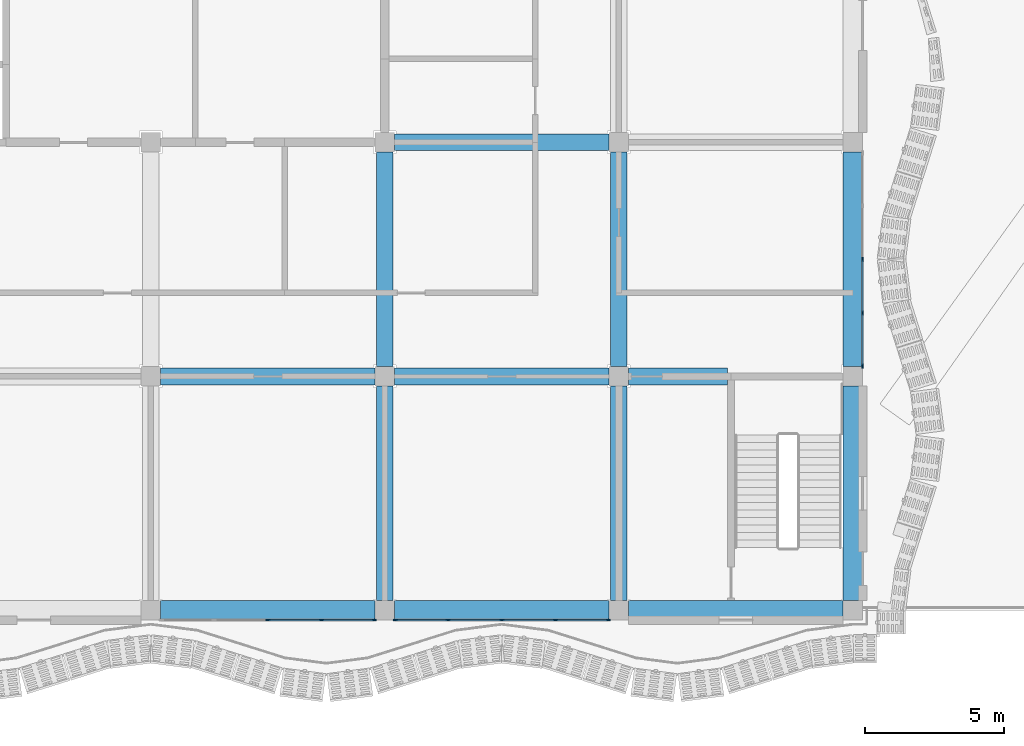
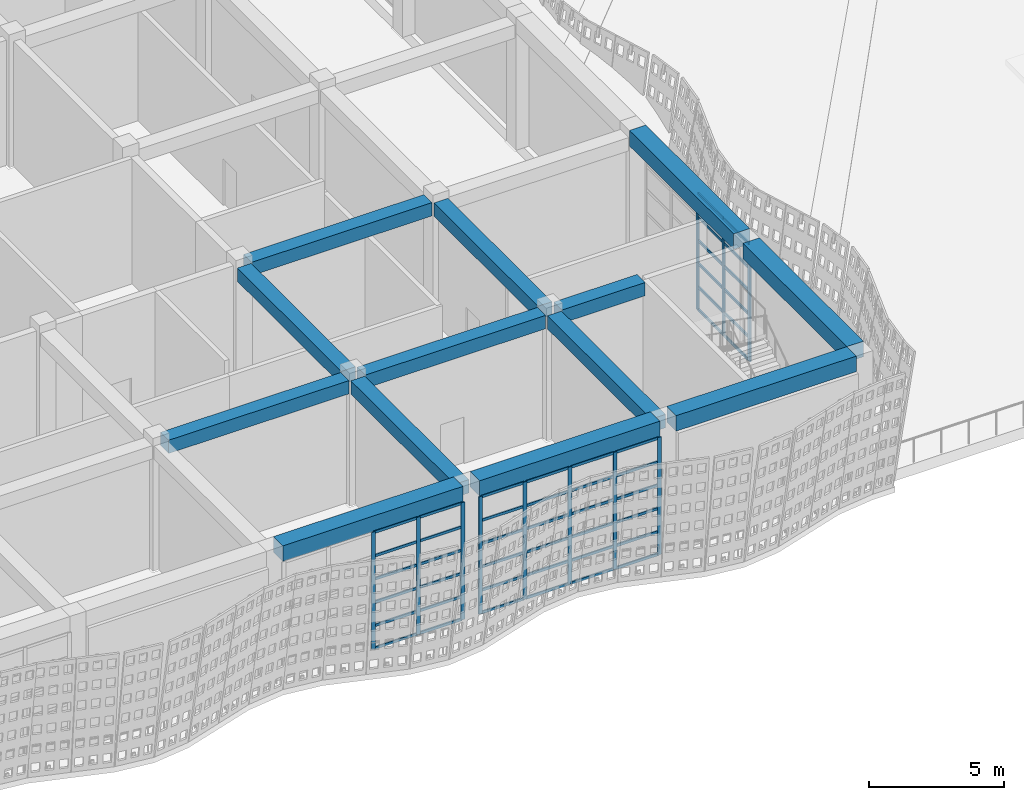
# One storey, part 23 of 210: 59 members, 13 beams, 3 elements without a shape of their own.
"""IFC4 building model written with IfcOpenShell, lengths in metres."""

from ifc_helpers import new_model, si_unit, direction, frame, origin, origin_2d, place, context, subcontext, project, spatial, rectangle, extrude, material, material_profile, profile_set, type_object, element, aggregate, save


model = new_model("IFC4")

# Units and contexts
model_context = context("Model", 3, precision=1e-05, world=origin(), true_north=direction((0.0, 1.0)))
body_context = subcontext(model_context, "Body", "Model", "MODEL_VIEW")
ifc_project = project(units=[si_unit("LENGTHUNIT", "METRE"), si_unit("AREAUNIT", "SQUARE_METRE"), si_unit("VOLUMEUNIT", "CUBIC_METRE"), si_unit("PLANEANGLEUNIT", "RADIAN"), si_unit("MASSUNIT", "GRAM", prefix="KILO")], contexts=[model_context])

# Site, building, storey
site_placement = place(None, origin())
site = spatial("IfcSite", under=ifc_project, at=site_placement, CompositionType="ELEMENT")
building_placement = place(site_placement, origin())
building = spatial("IfcBuilding", under=site, at=building_placement, Name="Rain Tree Exposition and Congress Centre", CompositionType="ELEMENT")
storey_placement = place(building_placement, origin())
storey = spatial("IfcBuildingStorey", under=building, at=storey_placement, Name="L00", CompositionType="ELEMENT", Elevation=0.0)

# Beams
ifc_material_1 = material(Name="Precast concrete C50/60", Category="concrete")
ifc_material_profile_1 = material_profile(ifc_material_1, rectangle(XDim=0.60009765625, YDim=0.60009765625, at=origin_2d()), Name="RC 600x600")
ifc_profile_set_1 = profile_set([ifc_material_profile_1], Name="Precast concrete C50/60")
beam_type_1 = type_object("IfcBeamType", Name="Precast beam 600x600", PredefinedType="BEAM", material=ifc_profile_set_1)
for number, where, z_axis, x_axis, name in (
    (1, (25.550048828125, 8.39990234375, 5.35009765625), (1.0, 0.0, 0.0), (0.0, 1.0, 0.0), "wing/beam/L00/L01/019"),
    (2, (33.949951171875, 8.39990234375, 5.35009765625), (1.0, 0.0, 0.0), (0.0, 1.0, 0.0), "wing/beam/L00/L01/021"),
):
    element("IfcBeam", number, at=place(storey_placement, frame(where, z_axis=z_axis, x_axis=x_axis)), inside=storey, type_object=beam_type_1, Name=name, PredefinedType="BEAM", context=body_context, shape_type="SweptSolid", body=[
        extrude(rectangle(XDim=0.60009765625, YDim=0.60009765625, at=origin_2d()), origin(), (0.0, 0.0, 1.0), 7.699951171875),
    ])
beam_placement = place(storey_placement, frame((42.35009765625, 8.39990234375, 5.35009765625), z_axis=(1.0, 0.0, 0.0), x_axis=(0.0, 1.0, 0.0)))
element("IfcBeam", 3, at=beam_placement, inside=storey, type_object=beam_type_1, Name="wing/beam/L00/L01/023", PredefinedType="BEAM", context=body_context, shape_type="SweptSolid", body=[
    extrude(rectangle(XDim=0.60009765625, YDim=0.60009765625, at=origin_2d()), origin(), (0.0, 0.0, 1.0), 3.5498046875),
])
for number, where, z_axis, x_axis, name in (
    (4, (33.949951171875, 16.800048828125, 5.35009765625), (1.0, 0.0, 0.0), (0.0, 1.0, 0.0), "wing/beam/L00/L01/029"),
    (5, (33.60009765625, 0.35009765625, 5.35009765625), (0.0, 1.0, 0.0), (-1.0, 0.0, 0.0), "wing/beam/L00/L01/042"),
    (6, (33.60009765625, 8.75, 5.35009765625), (0.0, 1.0, 0.0), (-1.0, 0.0, 0.0), "wing/beam/L00/L01/044"),
    (7, (42.0, 0.35009765625, 5.35009765625), (0.0, 1.0, 0.0), (-1.0, 0.0, 0.0), "wing/beam/L00/L01/050"),
    (8, (42.0, 8.75, 5.35009765625), (0.0, 1.0, 0.0), (-1.0, 0.0, 0.0), "wing/beam/L00/L01/052"),
):
    element("IfcBeam", number, at=place(storey_placement, frame(where, z_axis=z_axis, x_axis=x_axis)), inside=storey, type_object=beam_type_1, Name=name, PredefinedType="BEAM", context=body_context, shape_type="SweptSolid", body=[
        extrude(rectangle(XDim=0.60009765625, YDim=0.60009765625, at=origin_2d()), origin(), (0.0, 0.0, 1.0), 7.699951171875),
    ])
ifc_material_2 = material(Name="Precast concrete C50/60", Category="concrete")
ifc_material_profile_2 = material_profile(ifc_material_2, rectangle(XDim=0.699951171875, YDim=0.699951171875, at=origin_2d()), Name="RC 700x700")
ifc_profile_set_2 = profile_set([ifc_material_profile_2], Name="Precast concrete C50/60")
beam_type_2 = type_object("IfcBeamType", Name="Precast spandrel beam 700x700", PredefinedType="SPANDREL", material=ifc_profile_set_2)
for number, where, z_axis, x_axis, name in (
    (9, (25.550048828125, 0.0, 5.64990234375), (1.0, 0.0, 0.0), (0.0, 1.0, 0.0), "wing/beam/L00/L01/007"),
    (10, (33.949951171875, 0.0, 5.64990234375), (1.0, 0.0, 0.0), (0.0, 1.0, 0.0), "wing/beam/L00/L01/009"),
    (11, (42.35009765625, 0.0, 5.64990234375), (1.0, 0.0, 0.0), (0.0, 1.0, 0.0), "wing/beam/L00/L01/011"),
    (12, (50.39990234375, 0.35009765625, 5.64990234375), (0.0, 1.0, 0.0), (-1.0, 0.0, 0.0), "wing/beam/L00/L01/062"),
    (13, (50.39990234375, 8.75, 5.64990234375), (0.0, 1.0, 0.0), (-1.0, 0.0, 0.0), "wing/beam/L00/L01/064"),
):
    element("IfcBeam", number, at=place(storey_placement, frame(where, z_axis=z_axis, x_axis=x_axis)), inside=storey, type_object=beam_type_2, Name=name, PredefinedType="SPANDREL", context=body_context, shape_type="SweptSolid", body=[
        extrude(rectangle(XDim=0.699951171875, YDim=0.699951171875, at=origin_2d()), origin(), (0.0, 0.0, 1.0), 7.699951171875),
    ])

# Curtain wall, members
ifc_material_3 = material(Name="Aluminium curtain wall", Category="aluminium")
curtain_wall_type = type_object("IfcCurtainWallType", Name="Wing curtain wall 1925", PredefinedType="NOTDEFINED", material=ifc_material_3)
curtain_wall_1_placement = place(storey_placement, origin())
curtain_wall_1 = element("IfcCurtainWall", 14, at=curtain_wall_1_placement, inside=storey, type_object=curtain_wall_type, Name="Curtain wall CWW102", PredefinedType="NOTDEFINED")
ifc_material_4 = material(Name="Aluminium", Category="aluminium")
ifc_material_profile_3 = material_profile(ifc_material_4, rectangle(XDim=0.06005859375, YDim=0.159912109375, at=origin_2d()), Name="Aluminium 60x160")
ifc_profile_set_3 = profile_set([ifc_material_profile_3], Name="Aluminium")
member_type_1 = type_object("IfcMemberType", Name="Wing mullion 60x160", PredefinedType="MULLION", material=ifc_profile_set_3)
member_1_placement = place(storey_placement, frame((29.39990234375, -0.35009765625, 0.0), z_axis=(0.0, 0.0, 1.0), x_axis=(0.0, 1.0, 0.0)))
member_1 = element("IfcMember", 15, at=member_1_placement, type_object=member_type_1, Name="CWW102 mullion 3", PredefinedType="MULLION", context=body_context, shape_type="SweptSolid", body=[
    extrude(rectangle(XDim=0.06005859375, YDim=0.159912109375, at=origin_2d()), origin(), (0.0, 0.0, 1.0), 5.300048828125),
])
member_2_placement = place(storey_placement, frame((31.324951171875, -0.35009765625, 0.0), z_axis=(0.0, 0.0, 1.0), x_axis=(0.0, 1.0, 0.0)))
member_2 = element("IfcMember", 16, at=member_2_placement, type_object=member_type_1, Name="CWW102 mullion 4", PredefinedType="MULLION", context=body_context, shape_type="SweptSolid", body=[
    extrude(rectangle(XDim=0.06005859375, YDim=0.159912109375, at=origin_2d()), origin(), (0.0, 0.0, 1.0), 5.300048828125),
])
member_3_placement = place(storey_placement, frame((33.219970703125, -0.35009765625, 0.0), z_axis=(0.0, 0.0, 1.0), x_axis=(0.0, 1.0, 0.0)))
member_3 = element("IfcMember", 17, at=member_3_placement, type_object=member_type_1, Name="CWW102 mullion 5", PredefinedType="MULLION", context=body_context, shape_type="SweptSolid", body=[
    extrude(rectangle(XDim=0.06005859375, YDim=0.159912109375, at=origin_2d()), origin(), (0.0, 0.0, 1.0), 5.300048828125),
])

curtain_wall_2_placement = place(storey_placement, origin())
curtain_wall_2 = element("IfcCurtainWall", 18, at=curtain_wall_2_placement, inside=storey, type_object=curtain_wall_type, Name="Curtain wall CWW103", PredefinedType="NOTDEFINED")
member_4_placement = place(storey_placement, frame((33.97998046875, -0.35009765625, 0.0), z_axis=(0.0, 0.0, 1.0), x_axis=(0.0, 1.0, 0.0)))
member_4 = element("IfcMember", 19, at=member_4_placement, type_object=member_type_1, Name="CWW103 mullion 1", PredefinedType="MULLION", context=body_context, shape_type="SweptSolid", body=[
    extrude(rectangle(XDim=0.06005859375, YDim=0.159912109375, at=origin_2d()), origin(), (0.0, 0.0, 1.0), 5.300048828125),
])
member_5_placement = place(storey_placement, frame((35.875, -0.35009765625, 0.0), z_axis=(0.0, 0.0, 1.0), x_axis=(0.0, 1.0, 0.0)))
member_5 = element("IfcMember", 20, at=member_5_placement, type_object=member_type_1, Name="CWW103 mullion 2", PredefinedType="MULLION", context=body_context, shape_type="SweptSolid", body=[
    extrude(rectangle(XDim=0.06005859375, YDim=0.159912109375, at=origin_2d()), origin(), (0.0, 0.0, 1.0), 5.300048828125),
])
member_6_placement = place(storey_placement, frame((37.800048828125, -0.35009765625, 0.0), z_axis=(0.0, 0.0, 1.0), x_axis=(0.0, 1.0, 0.0)))
member_6 = element("IfcMember", 21, at=member_6_placement, type_object=member_type_1, Name="CWW103 mullion 3", PredefinedType="MULLION", context=body_context, shape_type="SweptSolid", body=[
    extrude(rectangle(XDim=0.06005859375, YDim=0.159912109375, at=origin_2d()), origin(), (0.0, 0.0, 1.0), 5.300048828125),
])
member_7_placement = place(storey_placement, frame((39.72509765625, -0.35009765625, 0.0), z_axis=(0.0, 0.0, 1.0), x_axis=(0.0, 1.0, 0.0)))
member_7 = element("IfcMember", 22, at=member_7_placement, type_object=member_type_1, Name="CWW103 mullion 4", PredefinedType="MULLION", context=body_context, shape_type="SweptSolid", body=[
    extrude(rectangle(XDim=0.06005859375, YDim=0.159912109375, at=origin_2d()), origin(), (0.0, 0.0, 1.0), 5.300048828125),
])
member_8_placement = place(storey_placement, frame((41.6201171875, -0.35009765625, 0.0), z_axis=(0.0, 0.0, 1.0), x_axis=(0.0, 1.0, 0.0)))
member_8 = element("IfcMember", 23, at=member_8_placement, type_object=member_type_1, Name="CWW103 mullion 5", PredefinedType="MULLION", context=body_context, shape_type="SweptSolid", body=[
    extrude(rectangle(XDim=0.06005859375, YDim=0.159912109375, at=origin_2d()), origin(), (0.0, 0.0, 1.0), 5.300048828125),
])

curtain_wall_3_placement = place(storey_placement, origin())
curtain_wall_3 = element("IfcCurtainWall", 24, at=curtain_wall_3_placement, inside=storey, type_object=curtain_wall_type, Name="Curtain wall CWW109", PredefinedType="NOTDEFINED")
member_9_placement = place(storey_placement, frame((50.75, 8.780029296875, 0.0), z_axis=(0.0, 0.0, 1.0), x_axis=(-1.0, 0.0, 0.0)))
member_9 = element("IfcMember", 25, at=member_9_placement, type_object=member_type_1, Name="CWW109 mullion 1", PredefinedType="MULLION", context=body_context, shape_type="SweptSolid", body=[
    extrude(rectangle(XDim=0.06005859375, YDim=0.159912109375, at=origin_2d()), origin(), (0.0, 0.0, 1.0), 5.300048828125),
])
member_10_placement = place(storey_placement, frame((50.75, 10.675048828125, 0.0), z_axis=(0.0, 0.0, 1.0), x_axis=(-1.0, 0.0, 0.0)))
member_10 = element("IfcMember", 26, at=member_10_placement, type_object=member_type_1, Name="CWW109 mullion 2", PredefinedType="MULLION", context=body_context, shape_type="SweptSolid", body=[
    extrude(rectangle(XDim=0.06005859375, YDim=0.159912109375, at=origin_2d()), origin(), (0.0, 0.0, 1.0), 5.300048828125),
])
member_11_placement = place(storey_placement, frame((50.75, 12.60009765625, 0.0), z_axis=(0.0, 0.0, 1.0), x_axis=(-1.0, 0.0, 0.0)))
member_11 = element("IfcMember", 27, at=member_11_placement, type_object=member_type_1, Name="CWW109 mullion 3", PredefinedType="MULLION", context=body_context, shape_type="SweptSolid", body=[
    extrude(rectangle(XDim=0.06005859375, YDim=0.159912109375, at=origin_2d()), origin(), (0.0, 0.0, 1.0), 5.300048828125),
])

# Member
ifc_material_5 = material(Name="Aluminium", Category="aluminium")
ifc_material_profile_4 = material_profile(ifc_material_5, rectangle(XDim=0.06005859375, YDim=0.1201171875, at=origin_2d()), Name="Aluminium 60x120")
ifc_profile_set_4 = profile_set([ifc_material_profile_4], Name="Aluminium")
member_type_2 = type_object("IfcMemberType", Name="Wing transom 60x120", PredefinedType="USERDEFINED", material=ifc_profile_set_4)
member_12_placement = place(storey_placement, frame((29.429931640625, -0.35009765625, 0.030029296875), z_axis=(1.0, 0.0, 0.0), x_axis=(0.0, 1.0, 0.0)))
member_12 = element("IfcMember", 28, at=member_12_placement, type_object=member_type_2, Name="CWW102 transom 3.1", ObjectType="TRANSOM", PredefinedType="USERDEFINED", context=body_context, shape_type="SweptSolid", body=[
    extrude(rectangle(XDim=0.06005859375, YDim=0.1201171875, at=origin_2d()), origin(), (0.0, 0.0, 1.0), 1.864990234375),
])

member_13_placement = place(storey_placement, frame((29.429931640625, -0.35009765625, 1.050048828125), z_axis=(1.0, 0.0, 0.0), x_axis=(0.0, 1.0, 0.0)))
member_13 = element("IfcMember", 29, at=member_13_placement, type_object=member_type_2, Name="CWW102 transom 3.2", ObjectType="TRANSOM", PredefinedType="USERDEFINED", context=body_context, shape_type="SweptSolid", body=[
    extrude(rectangle(XDim=0.06005859375, YDim=0.1201171875, at=origin_2d()), origin(), (0.0, 0.0, 1.0), 1.864990234375),
])

member_14_placement = place(storey_placement, frame((29.429931640625, -0.35009765625, 2.10009765625), z_axis=(1.0, 0.0, 0.0), x_axis=(0.0, 1.0, 0.0)))
member_14 = element("IfcMember", 30, at=member_14_placement, type_object=member_type_2, Name="CWW102 transom 3.3", ObjectType="TRANSOM", PredefinedType="USERDEFINED", context=body_context, shape_type="SweptSolid", body=[
    extrude(rectangle(XDim=0.06005859375, YDim=0.1201171875, at=origin_2d()), origin(), (0.0, 0.0, 1.0), 1.864990234375),
])

member_15_placement = place(storey_placement, frame((29.429931640625, -0.35009765625, 3.14990234375), z_axis=(1.0, 0.0, 0.0), x_axis=(0.0, 1.0, 0.0)))
member_15 = element("IfcMember", 31, at=member_15_placement, type_object=member_type_2, Name="CWW102 transom 3.4", ObjectType="TRANSOM", PredefinedType="USERDEFINED", context=body_context, shape_type="SweptSolid", body=[
    extrude(rectangle(XDim=0.06005859375, YDim=0.1201171875, at=origin_2d()), origin(), (0.0, 0.0, 1.0), 1.864990234375),
])

member_16_placement = place(storey_placement, frame((29.429931640625, -0.35009765625, 4.199951171875), z_axis=(1.0, 0.0, 0.0), x_axis=(0.0, 1.0, 0.0)))
member_16 = element("IfcMember", 32, at=member_16_placement, type_object=member_type_2, Name="CWW102 transom 3.5", ObjectType="TRANSOM", PredefinedType="USERDEFINED", context=body_context, shape_type="SweptSolid", body=[
    extrude(rectangle(XDim=0.06005859375, YDim=0.1201171875, at=origin_2d()), origin(), (0.0, 0.0, 1.0), 1.864990234375),
])

member_17_placement = place(storey_placement, frame((29.429931640625, -0.35009765625, 5.27001953125), z_axis=(1.0, 0.0, 0.0), x_axis=(0.0, 1.0, 0.0)))
member_17 = element("IfcMember", 33, at=member_17_placement, type_object=member_type_2, Name="CWW102 transom 3.6", ObjectType="TRANSOM", PredefinedType="USERDEFINED", context=body_context, shape_type="SweptSolid", body=[
    extrude(rectangle(XDim=0.06005859375, YDim=0.1201171875, at=origin_2d()), origin(), (0.0, 0.0, 1.0), 1.864990234375),
])

member_18_placement = place(storey_placement, frame((31.35498046875, -0.35009765625, 0.030029296875), z_axis=(1.0, 0.0, 0.0), x_axis=(0.0, 1.0, 0.0)))
member_18 = element("IfcMember", 34, at=member_18_placement, type_object=member_type_2, Name="CWW102 transom 4.1", ObjectType="TRANSOM", PredefinedType="USERDEFINED", context=body_context, shape_type="SweptSolid", body=[
    extrude(rectangle(XDim=0.06005859375, YDim=0.1201171875, at=origin_2d()), origin(), (0.0, 0.0, 1.0), 1.8349609375),
])

member_19_placement = place(storey_placement, frame((31.35498046875, -0.35009765625, 1.050048828125), z_axis=(1.0, 0.0, 0.0), x_axis=(0.0, 1.0, 0.0)))
member_19 = element("IfcMember", 35, at=member_19_placement, type_object=member_type_2, Name="CWW102 transom 4.2", ObjectType="TRANSOM", PredefinedType="USERDEFINED", context=body_context, shape_type="SweptSolid", body=[
    extrude(rectangle(XDim=0.06005859375, YDim=0.1201171875, at=origin_2d()), origin(), (0.0, 0.0, 1.0), 1.8349609375),
])

member_20_placement = place(storey_placement, frame((31.35498046875, -0.35009765625, 2.10009765625), z_axis=(1.0, 0.0, 0.0), x_axis=(0.0, 1.0, 0.0)))
member_20 = element("IfcMember", 36, at=member_20_placement, type_object=member_type_2, Name="CWW102 transom 4.3", ObjectType="TRANSOM", PredefinedType="USERDEFINED", context=body_context, shape_type="SweptSolid", body=[
    extrude(rectangle(XDim=0.06005859375, YDim=0.1201171875, at=origin_2d()), origin(), (0.0, 0.0, 1.0), 1.8349609375),
])

member_21_placement = place(storey_placement, frame((31.35498046875, -0.35009765625, 3.14990234375), z_axis=(1.0, 0.0, 0.0), x_axis=(0.0, 1.0, 0.0)))
member_21 = element("IfcMember", 37, at=member_21_placement, type_object=member_type_2, Name="CWW102 transom 4.4", ObjectType="TRANSOM", PredefinedType="USERDEFINED", context=body_context, shape_type="SweptSolid", body=[
    extrude(rectangle(XDim=0.06005859375, YDim=0.1201171875, at=origin_2d()), origin(), (0.0, 0.0, 1.0), 1.8349609375),
])

member_22_placement = place(storey_placement, frame((31.35498046875, -0.35009765625, 4.199951171875), z_axis=(1.0, 0.0, 0.0), x_axis=(0.0, 1.0, 0.0)))
member_22 = element("IfcMember", 38, at=member_22_placement, type_object=member_type_2, Name="CWW102 transom 4.5", ObjectType="TRANSOM", PredefinedType="USERDEFINED", context=body_context, shape_type="SweptSolid", body=[
    extrude(rectangle(XDim=0.06005859375, YDim=0.1201171875, at=origin_2d()), origin(), (0.0, 0.0, 1.0), 1.8349609375),
])

member_23_placement = place(storey_placement, frame((31.35498046875, -0.35009765625, 5.27001953125), z_axis=(1.0, 0.0, 0.0), x_axis=(0.0, 1.0, 0.0)))
member_23 = element("IfcMember", 39, at=member_23_placement, type_object=member_type_2, Name="CWW102 transom 4.6", ObjectType="TRANSOM", PredefinedType="USERDEFINED", context=body_context, shape_type="SweptSolid", body=[
    extrude(rectangle(XDim=0.06005859375, YDim=0.1201171875, at=origin_2d()), origin(), (0.0, 0.0, 1.0), 1.8349609375),
])

aggregate(curtain_wall_1, [member_1, member_2, member_3, member_12, member_13, member_14, member_15, member_16, member_17, member_18, member_19, member_20, member_21, member_22, member_23])

member_24_placement = place(storey_placement, frame((34.010009765625, -0.35009765625, 0.030029296875), z_axis=(1.0, 0.0, 0.0), x_axis=(0.0, 1.0, 0.0)))
member_24 = element("IfcMember", 40, at=member_24_placement, type_object=member_type_2, Name="CWW103 transom 1.1", ObjectType="TRANSOM", PredefinedType="USERDEFINED", context=body_context, shape_type="SweptSolid", body=[
    extrude(rectangle(XDim=0.06005859375, YDim=0.1201171875, at=origin_2d()), origin(), (0.0, 0.0, 1.0), 1.8349609375),
])

member_25_placement = place(storey_placement, frame((34.010009765625, -0.35009765625, 1.050048828125), z_axis=(1.0, 0.0, 0.0), x_axis=(0.0, 1.0, 0.0)))
member_25 = element("IfcMember", 41, at=member_25_placement, type_object=member_type_2, Name="CWW103 transom 1.2", ObjectType="TRANSOM", PredefinedType="USERDEFINED", context=body_context, shape_type="SweptSolid", body=[
    extrude(rectangle(XDim=0.06005859375, YDim=0.1201171875, at=origin_2d()), origin(), (0.0, 0.0, 1.0), 1.8349609375),
])

member_26_placement = place(storey_placement, frame((34.010009765625, -0.35009765625, 2.10009765625), z_axis=(1.0, 0.0, 0.0), x_axis=(0.0, 1.0, 0.0)))
member_26 = element("IfcMember", 42, at=member_26_placement, type_object=member_type_2, Name="CWW103 transom 1.3", ObjectType="TRANSOM", PredefinedType="USERDEFINED", context=body_context, shape_type="SweptSolid", body=[
    extrude(rectangle(XDim=0.06005859375, YDim=0.1201171875, at=origin_2d()), origin(), (0.0, 0.0, 1.0), 1.8349609375),
])

member_27_placement = place(storey_placement, frame((34.010009765625, -0.35009765625, 3.14990234375), z_axis=(1.0, 0.0, 0.0), x_axis=(0.0, 1.0, 0.0)))
member_27 = element("IfcMember", 43, at=member_27_placement, type_object=member_type_2, Name="CWW103 transom 1.4", ObjectType="TRANSOM", PredefinedType="USERDEFINED", context=body_context, shape_type="SweptSolid", body=[
    extrude(rectangle(XDim=0.06005859375, YDim=0.1201171875, at=origin_2d()), origin(), (0.0, 0.0, 1.0), 1.8349609375),
])

member_28_placement = place(storey_placement, frame((34.010009765625, -0.35009765625, 4.199951171875), z_axis=(1.0, 0.0, 0.0), x_axis=(0.0, 1.0, 0.0)))
member_28 = element("IfcMember", 44, at=member_28_placement, type_object=member_type_2, Name="CWW103 transom 1.5", ObjectType="TRANSOM", PredefinedType="USERDEFINED", context=body_context, shape_type="SweptSolid", body=[
    extrude(rectangle(XDim=0.06005859375, YDim=0.1201171875, at=origin_2d()), origin(), (0.0, 0.0, 1.0), 1.8349609375),
])

member_29_placement = place(storey_placement, frame((34.010009765625, -0.35009765625, 5.27001953125), z_axis=(1.0, 0.0, 0.0), x_axis=(0.0, 1.0, 0.0)))
member_29 = element("IfcMember", 45, at=member_29_placement, type_object=member_type_2, Name="CWW103 transom 1.6", ObjectType="TRANSOM", PredefinedType="USERDEFINED", context=body_context, shape_type="SweptSolid", body=[
    extrude(rectangle(XDim=0.06005859375, YDim=0.1201171875, at=origin_2d()), origin(), (0.0, 0.0, 1.0), 1.8349609375),
])

member_30_placement = place(storey_placement, frame((35.905029296875, -0.35009765625, 0.030029296875), z_axis=(1.0, 0.0, 0.0), x_axis=(0.0, 1.0, 0.0)))
member_30 = element("IfcMember", 46, at=member_30_placement, type_object=member_type_2, Name="CWW103 transom 2.1", ObjectType="TRANSOM", PredefinedType="USERDEFINED", context=body_context, shape_type="SweptSolid", body=[
    extrude(rectangle(XDim=0.06005859375, YDim=0.1201171875, at=origin_2d()), origin(), (0.0, 0.0, 1.0), 1.864990234375),
])

member_31_placement = place(storey_placement, frame((35.905029296875, -0.35009765625, 1.050048828125), z_axis=(1.0, 0.0, 0.0), x_axis=(0.0, 1.0, 0.0)))
member_31 = element("IfcMember", 47, at=member_31_placement, type_object=member_type_2, Name="CWW103 transom 2.2", ObjectType="TRANSOM", PredefinedType="USERDEFINED", context=body_context, shape_type="SweptSolid", body=[
    extrude(rectangle(XDim=0.06005859375, YDim=0.1201171875, at=origin_2d()), origin(), (0.0, 0.0, 1.0), 1.864990234375),
])

member_32_placement = place(storey_placement, frame((35.905029296875, -0.35009765625, 2.10009765625), z_axis=(1.0, 0.0, 0.0), x_axis=(0.0, 1.0, 0.0)))
member_32 = element("IfcMember", 48, at=member_32_placement, type_object=member_type_2, Name="CWW103 transom 2.3", ObjectType="TRANSOM", PredefinedType="USERDEFINED", context=body_context, shape_type="SweptSolid", body=[
    extrude(rectangle(XDim=0.06005859375, YDim=0.1201171875, at=origin_2d()), origin(), (0.0, 0.0, 1.0), 1.864990234375),
])

member_33_placement = place(storey_placement, frame((35.905029296875, -0.35009765625, 3.14990234375), z_axis=(1.0, 0.0, 0.0), x_axis=(0.0, 1.0, 0.0)))
member_33 = element("IfcMember", 49, at=member_33_placement, type_object=member_type_2, Name="CWW103 transom 2.4", ObjectType="TRANSOM", PredefinedType="USERDEFINED", context=body_context, shape_type="SweptSolid", body=[
    extrude(rectangle(XDim=0.06005859375, YDim=0.1201171875, at=origin_2d()), origin(), (0.0, 0.0, 1.0), 1.864990234375),
])

member_34_placement = place(storey_placement, frame((35.905029296875, -0.35009765625, 4.199951171875), z_axis=(1.0, 0.0, 0.0), x_axis=(0.0, 1.0, 0.0)))
member_34 = element("IfcMember", 50, at=member_34_placement, type_object=member_type_2, Name="CWW103 transom 2.5", ObjectType="TRANSOM", PredefinedType="USERDEFINED", context=body_context, shape_type="SweptSolid", body=[
    extrude(rectangle(XDim=0.06005859375, YDim=0.1201171875, at=origin_2d()), origin(), (0.0, 0.0, 1.0), 1.864990234375),
])

member_35_placement = place(storey_placement, frame((35.905029296875, -0.35009765625, 5.27001953125), z_axis=(1.0, 0.0, 0.0), x_axis=(0.0, 1.0, 0.0)))
member_35 = element("IfcMember", 51, at=member_35_placement, type_object=member_type_2, Name="CWW103 transom 2.6", ObjectType="TRANSOM", PredefinedType="USERDEFINED", context=body_context, shape_type="SweptSolid", body=[
    extrude(rectangle(XDim=0.06005859375, YDim=0.1201171875, at=origin_2d()), origin(), (0.0, 0.0, 1.0), 1.864990234375),
])

member_36_placement = place(storey_placement, frame((37.830078125, -0.35009765625, 0.030029296875), z_axis=(1.0, 0.0, 0.0), x_axis=(0.0, 1.0, 0.0)))
member_36 = element("IfcMember", 52, at=member_36_placement, type_object=member_type_2, Name="CWW103 transom 3.1", ObjectType="TRANSOM", PredefinedType="USERDEFINED", context=body_context, shape_type="SweptSolid", body=[
    extrude(rectangle(XDim=0.06005859375, YDim=0.1201171875, at=origin_2d()), origin(), (0.0, 0.0, 1.0), 1.864990234375),
])

member_37_placement = place(storey_placement, frame((37.830078125, -0.35009765625, 1.050048828125), z_axis=(1.0, 0.0, 0.0), x_axis=(0.0, 1.0, 0.0)))
member_37 = element("IfcMember", 53, at=member_37_placement, type_object=member_type_2, Name="CWW103 transom 3.2", ObjectType="TRANSOM", PredefinedType="USERDEFINED", context=body_context, shape_type="SweptSolid", body=[
    extrude(rectangle(XDim=0.06005859375, YDim=0.1201171875, at=origin_2d()), origin(), (0.0, 0.0, 1.0), 1.864990234375),
])

member_38_placement = place(storey_placement, frame((37.830078125, -0.35009765625, 2.10009765625), z_axis=(1.0, 0.0, 0.0), x_axis=(0.0, 1.0, 0.0)))
member_38 = element("IfcMember", 54, at=member_38_placement, type_object=member_type_2, Name="CWW103 transom 3.3", ObjectType="TRANSOM", PredefinedType="USERDEFINED", context=body_context, shape_type="SweptSolid", body=[
    extrude(rectangle(XDim=0.06005859375, YDim=0.1201171875, at=origin_2d()), origin(), (0.0, 0.0, 1.0), 1.864990234375),
])

member_39_placement = place(storey_placement, frame((37.830078125, -0.35009765625, 3.14990234375), z_axis=(1.0, 0.0, 0.0), x_axis=(0.0, 1.0, 0.0)))
member_39 = element("IfcMember", 55, at=member_39_placement, type_object=member_type_2, Name="CWW103 transom 3.4", ObjectType="TRANSOM", PredefinedType="USERDEFINED", context=body_context, shape_type="SweptSolid", body=[
    extrude(rectangle(XDim=0.06005859375, YDim=0.1201171875, at=origin_2d()), origin(), (0.0, 0.0, 1.0), 1.864990234375),
])

member_40_placement = place(storey_placement, frame((37.830078125, -0.35009765625, 4.199951171875), z_axis=(1.0, 0.0, 0.0), x_axis=(0.0, 1.0, 0.0)))
member_40 = element("IfcMember", 56, at=member_40_placement, type_object=member_type_2, Name="CWW103 transom 3.5", ObjectType="TRANSOM", PredefinedType="USERDEFINED", context=body_context, shape_type="SweptSolid", body=[
    extrude(rectangle(XDim=0.06005859375, YDim=0.1201171875, at=origin_2d()), origin(), (0.0, 0.0, 1.0), 1.864990234375),
])

member_41_placement = place(storey_placement, frame((37.830078125, -0.35009765625, 5.27001953125), z_axis=(1.0, 0.0, 0.0), x_axis=(0.0, 1.0, 0.0)))
member_41 = element("IfcMember", 57, at=member_41_placement, type_object=member_type_2, Name="CWW103 transom 3.6", ObjectType="TRANSOM", PredefinedType="USERDEFINED", context=body_context, shape_type="SweptSolid", body=[
    extrude(rectangle(XDim=0.06005859375, YDim=0.1201171875, at=origin_2d()), origin(), (0.0, 0.0, 1.0), 1.864990234375),
])

member_42_placement = place(storey_placement, frame((39.7548828125, -0.35009765625, 0.030029296875), z_axis=(1.0, 0.0, 0.0), x_axis=(0.0, 1.0, 0.0)))
member_42 = element("IfcMember", 58, at=member_42_placement, type_object=member_type_2, Name="CWW103 transom 4.1", ObjectType="TRANSOM", PredefinedType="USERDEFINED", context=body_context, shape_type="SweptSolid", body=[
    extrude(rectangle(XDim=0.06005859375, YDim=0.1201171875, at=origin_2d()), origin(), (0.0, 0.0, 1.0), 1.835205078125),
])

member_43_placement = place(storey_placement, frame((39.7548828125, -0.35009765625, 1.050048828125), z_axis=(1.0, 0.0, 0.0), x_axis=(0.0, 1.0, 0.0)))
member_43 = element("IfcMember", 59, at=member_43_placement, type_object=member_type_2, Name="CWW103 transom 4.2", ObjectType="TRANSOM", PredefinedType="USERDEFINED", context=body_context, shape_type="SweptSolid", body=[
    extrude(rectangle(XDim=0.06005859375, YDim=0.1201171875, at=origin_2d()), origin(), (0.0, 0.0, 1.0), 1.835205078125),
])

member_44_placement = place(storey_placement, frame((39.7548828125, -0.35009765625, 2.10009765625), z_axis=(1.0, 0.0, 0.0), x_axis=(0.0, 1.0, 0.0)))
member_44 = element("IfcMember", 60, at=member_44_placement, type_object=member_type_2, Name="CWW103 transom 4.3", ObjectType="TRANSOM", PredefinedType="USERDEFINED", context=body_context, shape_type="SweptSolid", body=[
    extrude(rectangle(XDim=0.06005859375, YDim=0.1201171875, at=origin_2d()), origin(), (0.0, 0.0, 1.0), 1.835205078125),
])

member_45_placement = place(storey_placement, frame((39.7548828125, -0.35009765625, 3.14990234375), z_axis=(1.0, 0.0, 0.0), x_axis=(0.0, 1.0, 0.0)))
member_45 = element("IfcMember", 61, at=member_45_placement, type_object=member_type_2, Name="CWW103 transom 4.4", ObjectType="TRANSOM", PredefinedType="USERDEFINED", context=body_context, shape_type="SweptSolid", body=[
    extrude(rectangle(XDim=0.06005859375, YDim=0.1201171875, at=origin_2d()), origin(), (0.0, 0.0, 1.0), 1.835205078125),
])

member_46_placement = place(storey_placement, frame((39.7548828125, -0.35009765625, 4.199951171875), z_axis=(1.0, 0.0, 0.0), x_axis=(0.0, 1.0, 0.0)))
member_46 = element("IfcMember", 62, at=member_46_placement, type_object=member_type_2, Name="CWW103 transom 4.5", ObjectType="TRANSOM", PredefinedType="USERDEFINED", context=body_context, shape_type="SweptSolid", body=[
    extrude(rectangle(XDim=0.06005859375, YDim=0.1201171875, at=origin_2d()), origin(), (0.0, 0.0, 1.0), 1.835205078125),
])

member_47_placement = place(storey_placement, frame((39.7548828125, -0.35009765625, 5.27001953125), z_axis=(1.0, 0.0, 0.0), x_axis=(0.0, 1.0, 0.0)))
member_47 = element("IfcMember", 63, at=member_47_placement, type_object=member_type_2, Name="CWW103 transom 4.6", ObjectType="TRANSOM", PredefinedType="USERDEFINED", context=body_context, shape_type="SweptSolid", body=[
    extrude(rectangle(XDim=0.06005859375, YDim=0.1201171875, at=origin_2d()), origin(), (0.0, 0.0, 1.0), 1.835205078125),
])

aggregate(curtain_wall_2, [member_4, member_5, member_6, member_7, member_8, member_24, member_25, member_26, member_27, member_28, member_29, member_30, member_31, member_32, member_33, member_34, member_35, member_36, member_37, member_38, member_39, member_40, member_41, member_42, member_43, member_44, member_45, member_46, member_47])

member_48_placement = place(storey_placement, frame((50.75, 8.81005859375, 0.030029296875), z_axis=(0.0, 1.0, 0.0), x_axis=(-1.0, 0.0, 0.0)))
member_48 = element("IfcMember", 64, at=member_48_placement, type_object=member_type_2, Name="CWW109 transom 1.1", ObjectType="TRANSOM", PredefinedType="USERDEFINED", context=body_context, shape_type="SweptSolid", body=[
    extrude(rectangle(XDim=0.06005859375, YDim=0.1201171875, at=origin_2d()), origin(), (0.0, 0.0, 1.0), 1.8349609375),
])

member_49_placement = place(storey_placement, frame((50.75, 8.81005859375, 1.050048828125), z_axis=(0.0, 1.0, 0.0), x_axis=(-1.0, 0.0, 0.0)))
member_49 = element("IfcMember", 65, at=member_49_placement, type_object=member_type_2, Name="CWW109 transom 1.2", ObjectType="TRANSOM", PredefinedType="USERDEFINED", context=body_context, shape_type="SweptSolid", body=[
    extrude(rectangle(XDim=0.06005859375, YDim=0.1201171875, at=origin_2d()), origin(), (0.0, 0.0, 1.0), 1.8349609375),
])

member_50_placement = place(storey_placement, frame((50.75, 8.81005859375, 2.10009765625), z_axis=(0.0, 1.0, 0.0), x_axis=(-1.0, 0.0, 0.0)))
member_50 = element("IfcMember", 66, at=member_50_placement, type_object=member_type_2, Name="CWW109 transom 1.3", ObjectType="TRANSOM", PredefinedType="USERDEFINED", context=body_context, shape_type="SweptSolid", body=[
    extrude(rectangle(XDim=0.06005859375, YDim=0.1201171875, at=origin_2d()), origin(), (0.0, 0.0, 1.0), 1.8349609375),
])

member_51_placement = place(storey_placement, frame((50.75, 8.81005859375, 3.14990234375), z_axis=(0.0, 1.0, 0.0), x_axis=(-1.0, 0.0, 0.0)))
member_51 = element("IfcMember", 67, at=member_51_placement, type_object=member_type_2, Name="CWW109 transom 1.4", ObjectType="TRANSOM", PredefinedType="USERDEFINED", context=body_context, shape_type="SweptSolid", body=[
    extrude(rectangle(XDim=0.06005859375, YDim=0.1201171875, at=origin_2d()), origin(), (0.0, 0.0, 1.0), 1.8349609375),
])

member_52_placement = place(storey_placement, frame((50.75, 8.81005859375, 4.199951171875), z_axis=(0.0, 1.0, 0.0), x_axis=(-1.0, 0.0, 0.0)))
member_52 = element("IfcMember", 68, at=member_52_placement, type_object=member_type_2, Name="CWW109 transom 1.5", ObjectType="TRANSOM", PredefinedType="USERDEFINED", context=body_context, shape_type="SweptSolid", body=[
    extrude(rectangle(XDim=0.06005859375, YDim=0.1201171875, at=origin_2d()), origin(), (0.0, 0.0, 1.0), 1.8349609375),
])

member_53_placement = place(storey_placement, frame((50.75, 8.81005859375, 5.27001953125), z_axis=(0.0, 1.0, 0.0), x_axis=(-1.0, 0.0, 0.0)))
member_53 = element("IfcMember", 69, at=member_53_placement, type_object=member_type_2, Name="CWW109 transom 1.6", ObjectType="TRANSOM", PredefinedType="USERDEFINED", context=body_context, shape_type="SweptSolid", body=[
    extrude(rectangle(XDim=0.06005859375, YDim=0.1201171875, at=origin_2d()), origin(), (0.0, 0.0, 1.0), 1.8349609375),
])

member_54_placement = place(storey_placement, frame((50.75, 10.705078125, 0.030029296875), z_axis=(0.0, 1.0, 0.0), x_axis=(-1.0, 0.0, 0.0)))
member_54 = element("IfcMember", 70, at=member_54_placement, type_object=member_type_2, Name="CWW109 transom 2.1", ObjectType="TRANSOM", PredefinedType="USERDEFINED", context=body_context, shape_type="SweptSolid", body=[
    extrude(rectangle(XDim=0.06005859375, YDim=0.1201171875, at=origin_2d()), origin(), (0.0, 0.0, 1.0), 1.864990234375),
])

member_55_placement = place(storey_placement, frame((50.75, 10.705078125, 1.050048828125), z_axis=(0.0, 1.0, 0.0), x_axis=(-1.0, 0.0, 0.0)))
member_55 = element("IfcMember", 71, at=member_55_placement, type_object=member_type_2, Name="CWW109 transom 2.2", ObjectType="TRANSOM", PredefinedType="USERDEFINED", context=body_context, shape_type="SweptSolid", body=[
    extrude(rectangle(XDim=0.06005859375, YDim=0.1201171875, at=origin_2d()), origin(), (0.0, 0.0, 1.0), 1.864990234375),
])

member_56_placement = place(storey_placement, frame((50.75, 10.705078125, 2.10009765625), z_axis=(0.0, 1.0, 0.0), x_axis=(-1.0, 0.0, 0.0)))
member_56 = element("IfcMember", 72, at=member_56_placement, type_object=member_type_2, Name="CWW109 transom 2.3", ObjectType="TRANSOM", PredefinedType="USERDEFINED", context=body_context, shape_type="SweptSolid", body=[
    extrude(rectangle(XDim=0.06005859375, YDim=0.1201171875, at=origin_2d()), origin(), (0.0, 0.0, 1.0), 1.864990234375),
])

member_57_placement = place(storey_placement, frame((50.75, 10.705078125, 3.14990234375), z_axis=(0.0, 1.0, 0.0), x_axis=(-1.0, 0.0, 0.0)))
member_57 = element("IfcMember", 73, at=member_57_placement, type_object=member_type_2, Name="CWW109 transom 2.4", ObjectType="TRANSOM", PredefinedType="USERDEFINED", context=body_context, shape_type="SweptSolid", body=[
    extrude(rectangle(XDim=0.06005859375, YDim=0.1201171875, at=origin_2d()), origin(), (0.0, 0.0, 1.0), 1.864990234375),
])

member_58_placement = place(storey_placement, frame((50.75, 10.705078125, 4.199951171875), z_axis=(0.0, 1.0, 0.0), x_axis=(-1.0, 0.0, 0.0)))
member_58 = element("IfcMember", 74, at=member_58_placement, type_object=member_type_2, Name="CWW109 transom 2.5", ObjectType="TRANSOM", PredefinedType="USERDEFINED", context=body_context, shape_type="SweptSolid", body=[
    extrude(rectangle(XDim=0.06005859375, YDim=0.1201171875, at=origin_2d()), origin(), (0.0, 0.0, 1.0), 1.864990234375),
])

member_59_placement = place(storey_placement, frame((50.75, 10.705078125, 5.27001953125), z_axis=(0.0, 1.0, 0.0), x_axis=(-1.0, 0.0, 0.0)))
member_59 = element("IfcMember", 75, at=member_59_placement, type_object=member_type_2, Name="CWW109 transom 2.6", ObjectType="TRANSOM", PredefinedType="USERDEFINED", context=body_context, shape_type="SweptSolid", body=[
    extrude(rectangle(XDim=0.06005859375, YDim=0.1201171875, at=origin_2d()), origin(), (0.0, 0.0, 1.0), 1.864990234375),
])

aggregate(curtain_wall_3, [member_9, member_10, member_11, member_48, member_49, member_50, member_51, member_52, member_53, member_54, member_55, member_56, member_57, member_58, member_59])

save(model, "model.ifc")
